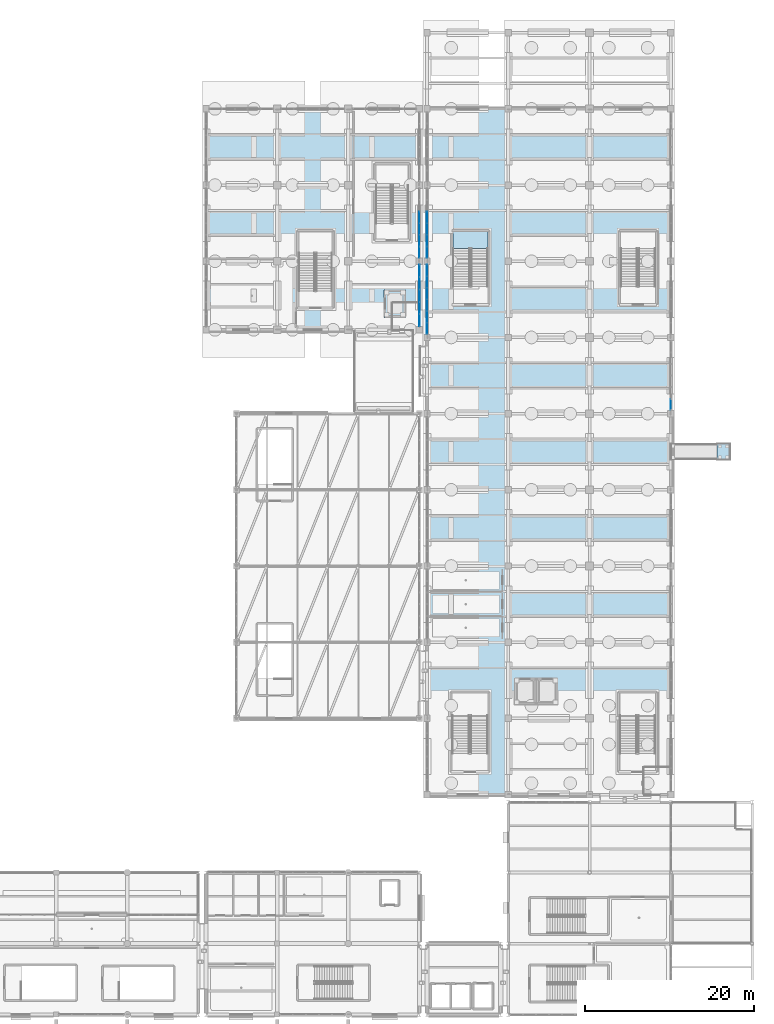
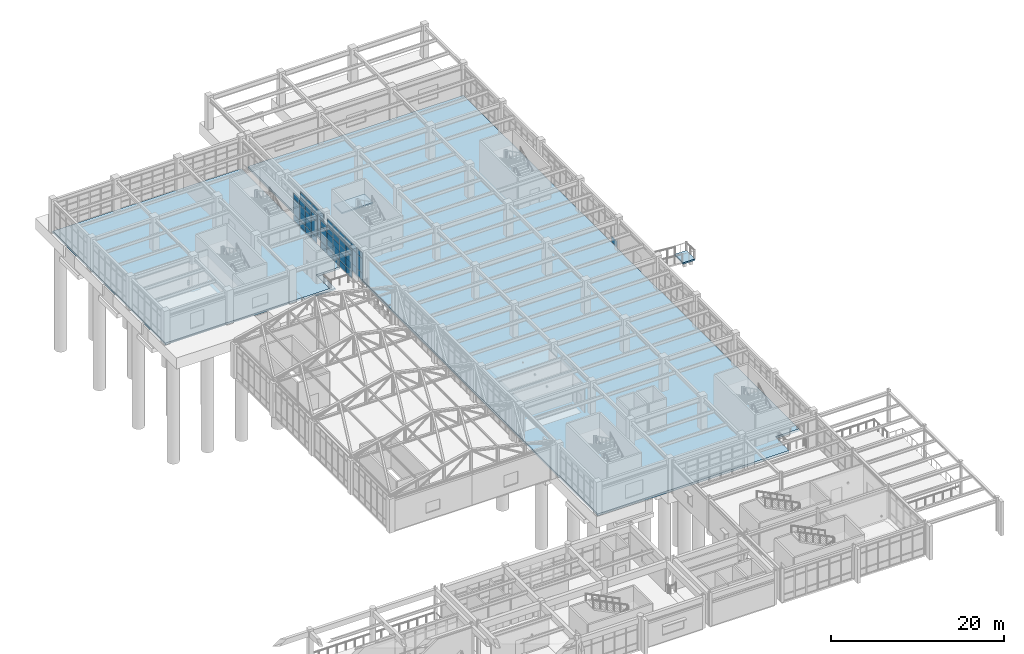
# One storey, part 102 of 139: 58 plates, 5 slabs, 6 elements without a shape of their own.
"""IFC4 building model written with IfcOpenShell, lengths in metres."""

from ifc_helpers import new_model, si_unit, direction, frame, origin, origin_2d, place, context, subcontext, project, spatial, polyline, rectangle, outline, extrude, material, layer, layer_set, type_object, element, aggregate, save


model = new_model("IFC4")

# Units and contexts
model_context = context("Model", 3, precision=1e-05, world=origin(), true_north=direction((0.0, 1.0)))
body_context = subcontext(model_context, "Body", "Model", "MODEL_VIEW")
ifc_project = project(units=[si_unit("LENGTHUNIT", "METRE"), si_unit("AREAUNIT", "SQUARE_METRE"), si_unit("VOLUMEUNIT", "CUBIC_METRE"), si_unit("PLANEANGLEUNIT", "RADIAN"), si_unit("MASSUNIT", "GRAM", prefix="KILO")], contexts=[model_context])

# Site, building, storey
site_placement = place(None, origin())
site = spatial("IfcSite", under=ifc_project, at=site_placement, CompositionType="ELEMENT")
building_placement = place(site_placement, origin())
building = spatial("IfcBuilding", under=site, at=building_placement, Name="Canglan Escarpment Cableway Terminal", CompositionType="ELEMENT")
storey_placement = place(building_placement, frame((0.0, 0.0, 14.39990234375)))
storey = spatial("IfcBuildingStorey", under=building, at=storey_placement, Name="L03", CompositionType="ELEMENT", Elevation=14.39990234375)

# Curtain wall, plates
ifc_material_1 = material(Name="Anodized bronze aluminium and Low-E double glazing", Category="aluminium")
curtain_wall_type_1 = type_object("IfcCurtainWallType", Name="CW-BAY-8250x4000", PredefinedType="NOTDEFINED", material=ifc_material_1)
curtain_wall_1_placement = place(storey_placement, origin())
curtain_wall_1 = element("IfcCurtainWall", 1, at=curtain_wall_1_placement, inside=storey, type_object=curtain_wall_type_1, Name="Classical bay-between-piers glazed curtain wall CW-48", PredefinedType="NOTDEFINED")
ifc_material_2 = material(Name="Double-silver Low-E laminated insulating glass", Category="glass")
ifc_layer_1 = layer(ifc_material_2, 0.02392578125, Name="Double-silver Low-E laminated insulating glass")
ifc_layer_set_1 = layer_set([ifc_layer_1], Name="Double-silver Low-E laminated insulating glass")
plate_type_1 = type_object("IfcPlateType", Name="CWP-01", PredefinedType="CURTAIN_PANEL", material=ifc_layer_set_1)
plate_1_placement = place(storey_placement, frame((136.699951171875, 98.077392578125, 0.05517578125), z_axis=(0.0, 0.0, 1.0), x_axis=(0.0, 1.0, 0.0)))
plate_1 = element("IfcPlate", 2, at=plate_1_placement, type_object=plate_type_1, Name="CW-48 panel 1.1", PredefinedType="CURTAIN_PANEL", context=body_context, shape_type="SweptSolid", body=[
    extrude(rectangle(XDim=1.284912109375, YDim=0.02392578125, at=origin_2d()), origin(), (0.0, 0.0, 1.0), 0.867431640625),
])
plate_2_placement = place(storey_placement, frame((136.699951171875, 98.077392578125, 0.9775390625), z_axis=(0.0, 0.0, 1.0), x_axis=(0.0, 1.0, 0.0)))
plate_2 = element("IfcPlate", 3, at=plate_2_placement, type_object=plate_type_1, Name="CW-48 panel 1.2", PredefinedType="CURTAIN_PANEL", context=body_context, shape_type="SweptSolid", body=[
    extrude(rectangle(XDim=1.284912109375, YDim=0.02392578125, at=origin_2d()), origin(), (0.0, 0.0, 1.0), 2.14208984375),
])
plate_3_placement = place(storey_placement, frame((136.699951171875, 98.077392578125, 3.174560546875), z_axis=(0.0, 0.0, 1.0), x_axis=(0.0, 1.0, 0.0)))
plate_3 = element("IfcPlate", 4, at=plate_3_placement, type_object=plate_type_1, Name="CW-48 panel 1.3", PredefinedType="CURTAIN_PANEL", context=body_context, shape_type="SweptSolid", body=[
    extrude(rectangle(XDim=1.284912109375, YDim=0.02392578125, at=origin_2d()), origin(), (0.0, 0.0, 1.0), 0.767578125),
])
plate_4_placement = place(storey_placement, frame((136.699951171875, 99.4375, 0.05517578125), z_axis=(0.0, 0.0, 1.0), x_axis=(0.0, 1.0, 0.0)))
plate_4 = element("IfcPlate", 5, at=plate_4_placement, type_object=plate_type_1, Name="CW-48 panel 2.1", PredefinedType="CURTAIN_PANEL", context=body_context, shape_type="SweptSolid", body=[
    extrude(rectangle(XDim=1.31494140625, YDim=0.02392578125, at=origin_2d()), origin(), (0.0, 0.0, 1.0), 0.867431640625),
])
plate_5_placement = place(storey_placement, frame((136.699951171875, 99.4375, 0.9775390625), z_axis=(0.0, 0.0, 1.0), x_axis=(0.0, 1.0, 0.0)))
plate_5 = element("IfcPlate", 6, at=plate_5_placement, type_object=plate_type_1, Name="CW-48 panel 2.2", PredefinedType="CURTAIN_PANEL", context=body_context, shape_type="SweptSolid", body=[
    extrude(rectangle(XDim=1.31494140625, YDim=0.02392578125, at=origin_2d()), origin(), (0.0, 0.0, 1.0), 2.14208984375),
])
plate_6_placement = place(storey_placement, frame((136.699951171875, 99.4375, 3.174560546875), z_axis=(0.0, 0.0, 1.0), x_axis=(0.0, 1.0, 0.0)))
plate_6 = element("IfcPlate", 7, at=plate_6_placement, type_object=plate_type_1, Name="CW-48 panel 2.3", PredefinedType="CURTAIN_PANEL", context=body_context, shape_type="SweptSolid", body=[
    extrude(rectangle(XDim=1.31494140625, YDim=0.02392578125, at=origin_2d()), origin(), (0.0, 0.0, 1.0), 0.767578125),
])
plate_7_placement = place(storey_placement, frame((136.699951171875, 100.8125, 0.05517578125), z_axis=(0.0, 0.0, 1.0), x_axis=(0.0, 1.0, 0.0)))
plate_7 = element("IfcPlate", 8, at=plate_7_placement, type_object=plate_type_1, Name="CW-48 panel 3.1", PredefinedType="CURTAIN_PANEL", context=body_context, shape_type="SweptSolid", body=[
    extrude(rectangle(XDim=1.31494140625, YDim=0.02392578125, at=origin_2d()), origin(), (0.0, 0.0, 1.0), 0.867431640625),
])
plate_8_placement = place(storey_placement, frame((136.699951171875, 100.8125, 0.9775390625), z_axis=(0.0, 0.0, 1.0), x_axis=(0.0, 1.0, 0.0)))
plate_8 = element("IfcPlate", 9, at=plate_8_placement, type_object=plate_type_1, Name="CW-48 panel 3.2", PredefinedType="CURTAIN_PANEL", context=body_context, shape_type="SweptSolid", body=[
    extrude(rectangle(XDim=1.31494140625, YDim=0.02392578125, at=origin_2d()), origin(), (0.0, 0.0, 1.0), 2.14208984375),
])
plate_9_placement = place(storey_placement, frame((136.699951171875, 100.8125, 3.174560546875), z_axis=(0.0, 0.0, 1.0), x_axis=(0.0, 1.0, 0.0)))
plate_9 = element("IfcPlate", 10, at=plate_9_placement, type_object=plate_type_1, Name="CW-48 panel 3.3", PredefinedType="CURTAIN_PANEL", context=body_context, shape_type="SweptSolid", body=[
    extrude(rectangle(XDim=1.31494140625, YDim=0.02392578125, at=origin_2d()), origin(), (0.0, 0.0, 1.0), 0.767578125),
])
plate_10_placement = place(storey_placement, frame((136.699951171875, 102.1875, 0.05517578125), z_axis=(0.0, 0.0, 1.0), x_axis=(0.0, 1.0, 0.0)))
plate_10 = element("IfcPlate", 11, at=plate_10_placement, type_object=plate_type_1, Name="CW-48 panel 4.1", PredefinedType="CURTAIN_PANEL", context=body_context, shape_type="SweptSolid", body=[
    extrude(rectangle(XDim=1.31494140625, YDim=0.02392578125, at=origin_2d()), origin(), (0.0, 0.0, 1.0), 0.867431640625),
])
plate_11_placement = place(storey_placement, frame((136.699951171875, 102.1875, 0.9775390625), z_axis=(0.0, 0.0, 1.0), x_axis=(0.0, 1.0, 0.0)))
plate_11 = element("IfcPlate", 12, at=plate_11_placement, type_object=plate_type_1, Name="CW-48 panel 4.2", PredefinedType="CURTAIN_PANEL", context=body_context, shape_type="SweptSolid", body=[
    extrude(rectangle(XDim=1.31494140625, YDim=0.02392578125, at=origin_2d()), origin(), (0.0, 0.0, 1.0), 2.14208984375),
])
plate_12_placement = place(storey_placement, frame((136.699951171875, 102.1875, 3.174560546875), z_axis=(0.0, 0.0, 1.0), x_axis=(0.0, 1.0, 0.0)))
plate_12 = element("IfcPlate", 13, at=plate_12_placement, type_object=plate_type_1, Name="CW-48 panel 4.3", PredefinedType="CURTAIN_PANEL", context=body_context, shape_type="SweptSolid", body=[
    extrude(rectangle(XDim=1.31494140625, YDim=0.02392578125, at=origin_2d()), origin(), (0.0, 0.0, 1.0), 0.767578125),
])
aggregate(curtain_wall_1, [plate_1, plate_2, plate_3, plate_4, plate_5, plate_6, plate_7, plate_8, plate_9, plate_10, plate_11, plate_12])

# Curtain wall, plate
curtain_wall_type_2 = type_object("IfcCurtainWallType", Name="CW-BAY-8250x3900", PredefinedType="NOTDEFINED", material=ifc_material_1)
curtain_wall_2_placement = place(storey_placement, origin())
curtain_wall_2 = element("IfcCurtainWall", 14, at=curtain_wall_2_placement, inside=storey, type_object=curtain_wall_type_2, Name="Classical bay-between-piers glazed curtain wall CW-62", PredefinedType="NOTDEFINED")
ifc_layer_2 = layer(ifc_material_2, 0.028076171875, Name="Double-silver Low-E laminated insulating glass")
ifc_layer_set_2 = layer_set([ifc_layer_2], Name="Double-silver Low-E laminated insulating glass")
plate_type_2 = type_object("IfcPlateType", Name="CWP-02", PredefinedType="CURTAIN_PANEL", material=ifc_layer_set_2)
plate_13_placement = place(storey_placement, frame((166.39990234375, 80.078857421875, 0.065185546875), z_axis=(0.0, 0.0, 1.0), x_axis=(0.0, 1.0, 0.0)))
plate_13 = element("IfcPlate", 15, at=plate_13_placement, type_object=plate_type_2, Name="CW-62 panel 1.1", PredefinedType="CURTAIN_PANEL", context=body_context, shape_type="SweptSolid", body=[
    extrude(rectangle(XDim=1.277587890625, YDim=0.028076171875, at=origin_2d()), origin(), (0.0, 0.0, 1.0), 0.8525390625),
])
aggregate(curtain_wall_2, [plate_13])

# Curtain wall, plates
curtain_wall_3_placement = place(storey_placement, origin())
curtain_wall_3 = element("IfcCurtainWall", 16, at=curtain_wall_3_placement, inside=storey, type_object=curtain_wall_type_2, Name="Classical bay-between-piers glazed curtain wall CW-62", PredefinedType="NOTDEFINED")
ifc_layer_3 = layer(ifc_material_2, 0.031982421875, Name="Double-silver Low-E laminated insulating glass")
ifc_layer_set_3 = layer_set([ifc_layer_3], Name="Double-silver Low-E laminated insulating glass")
plate_type_3 = type_object("IfcPlateType", Name="CWP-03", PredefinedType="CURTAIN_PANEL", material=ifc_layer_set_3)
plate_14_placement = place(storey_placement, frame((137.60009765625, 95.922607421875, 0.05517578125), z_axis=(0.0, 0.0, 1.0), x_axis=(0.0, -1.0, 0.0)))
plate_14 = element("IfcPlate", 17, at=plate_14_placement, type_object=plate_type_3, Name="CW-62 panel 1.1", PredefinedType="CURTAIN_PANEL", context=body_context, shape_type="SweptSolid", body=[
    extrude(rectangle(XDim=1.284912109375, YDim=0.031982421875, at=origin_2d()), origin(), (0.0, 0.0, 1.0), 0.867431640625),
])
plate_15_placement = place(storey_placement, frame((137.60009765625, 95.922607421875, 0.9775390625), z_axis=(0.0, 0.0, 1.0), x_axis=(0.0, -1.0, 0.0)))
plate_15 = element("IfcPlate", 18, at=plate_15_placement, type_object=plate_type_3, Name="CW-62 panel 1.2", PredefinedType="CURTAIN_PANEL", context=body_context, shape_type="SweptSolid", body=[
    extrude(rectangle(XDim=1.284912109375, YDim=0.031982421875, at=origin_2d()), origin(), (0.0, 0.0, 1.0), 2.035888671875),
])
plate_16_placement = place(storey_placement, frame((137.60009765625, 95.922607421875, 3.068603515625), z_axis=(0.0, 0.0, 1.0), x_axis=(0.0, -1.0, 0.0)))
plate_16 = element("IfcPlate", 19, at=plate_16_placement, type_object=plate_type_3, Name="CW-62 panel 1.3", PredefinedType="CURTAIN_PANEL", context=body_context, shape_type="SweptSolid", body=[
    extrude(rectangle(XDim=1.284912109375, YDim=0.031982421875, at=origin_2d()), origin(), (0.0, 0.0, 1.0), 0.767578125),
])
plate_17_placement = place(storey_placement, frame((137.60009765625, 94.5625, 0.05517578125), z_axis=(0.0, 0.0, 1.0), x_axis=(0.0, -1.0, 0.0)))
plate_17 = element("IfcPlate", 20, at=plate_17_placement, type_object=plate_type_3, Name="CW-62 panel 2.1", PredefinedType="CURTAIN_PANEL", context=body_context, shape_type="SweptSolid", body=[
    extrude(rectangle(XDim=1.31494140625, YDim=0.031982421875, at=origin_2d()), origin(), (0.0, 0.0, 1.0), 0.867431640625),
])
plate_18_placement = place(storey_placement, frame((137.60009765625, 94.5625, 0.9775390625), z_axis=(0.0, 0.0, 1.0), x_axis=(0.0, -1.0, 0.0)))
plate_18 = element("IfcPlate", 21, at=plate_18_placement, type_object=plate_type_3, Name="CW-62 panel 2.2", PredefinedType="CURTAIN_PANEL", context=body_context, shape_type="SweptSolid", body=[
    extrude(rectangle(XDim=1.31494140625, YDim=0.031982421875, at=origin_2d()), origin(), (0.0, 0.0, 1.0), 2.035888671875),
])
plate_19_placement = place(storey_placement, frame((137.60009765625, 94.5625, 3.068603515625), z_axis=(0.0, 0.0, 1.0), x_axis=(0.0, -1.0, 0.0)))
plate_19 = element("IfcPlate", 22, at=plate_19_placement, type_object=plate_type_3, Name="CW-62 panel 2.3", PredefinedType="CURTAIN_PANEL", context=body_context, shape_type="SweptSolid", body=[
    extrude(rectangle(XDim=1.31494140625, YDim=0.031982421875, at=origin_2d()), origin(), (0.0, 0.0, 1.0), 0.767578125),
])
plate_20_placement = place(storey_placement, frame((137.60009765625, 93.1875, 0.05517578125), z_axis=(0.0, 0.0, 1.0), x_axis=(0.0, -1.0, 0.0)))
plate_20 = element("IfcPlate", 23, at=plate_20_placement, type_object=plate_type_3, Name="CW-62 panel 3.1", PredefinedType="CURTAIN_PANEL", context=body_context, shape_type="SweptSolid", body=[
    extrude(rectangle(XDim=1.31494140625, YDim=0.031982421875, at=origin_2d()), origin(), (0.0, 0.0, 1.0), 0.867431640625),
])
plate_21_placement = place(storey_placement, frame((137.60009765625, 93.1875, 0.9775390625), z_axis=(0.0, 0.0, 1.0), x_axis=(0.0, -1.0, 0.0)))
plate_21 = element("IfcPlate", 24, at=plate_21_placement, type_object=plate_type_3, Name="CW-62 panel 3.2", PredefinedType="CURTAIN_PANEL", context=body_context, shape_type="SweptSolid", body=[
    extrude(rectangle(XDim=1.31494140625, YDim=0.031982421875, at=origin_2d()), origin(), (0.0, 0.0, 1.0), 2.035888671875),
])
plate_22_placement = place(storey_placement, frame((137.60009765625, 93.1875, 3.068603515625), z_axis=(0.0, 0.0, 1.0), x_axis=(0.0, -1.0, 0.0)))
plate_22 = element("IfcPlate", 25, at=plate_22_placement, type_object=plate_type_3, Name="CW-62 panel 3.3", PredefinedType="CURTAIN_PANEL", context=body_context, shape_type="SweptSolid", body=[
    extrude(rectangle(XDim=1.31494140625, YDim=0.031982421875, at=origin_2d()), origin(), (0.0, 0.0, 1.0), 0.767578125),
])
plate_23_placement = place(storey_placement, frame((137.60009765625, 91.8125, 0.05517578125), z_axis=(0.0, 0.0, 1.0), x_axis=(0.0, -1.0, 0.0)))
plate_23 = element("IfcPlate", 26, at=plate_23_placement, type_object=plate_type_3, Name="CW-62 panel 4.1", PredefinedType="CURTAIN_PANEL", context=body_context, shape_type="SweptSolid", body=[
    extrude(rectangle(XDim=1.31494140625, YDim=0.031982421875, at=origin_2d()), origin(), (0.0, 0.0, 1.0), 0.867431640625),
])
plate_24_placement = place(storey_placement, frame((137.60009765625, 91.8125, 0.9775390625), z_axis=(0.0, 0.0, 1.0), x_axis=(0.0, -1.0, 0.0)))
plate_24 = element("IfcPlate", 27, at=plate_24_placement, type_object=plate_type_3, Name="CW-62 panel 4.2", PredefinedType="CURTAIN_PANEL", context=body_context, shape_type="SweptSolid", body=[
    extrude(rectangle(XDim=1.31494140625, YDim=0.031982421875, at=origin_2d()), origin(), (0.0, 0.0, 1.0), 2.035888671875),
])
plate_25_placement = place(storey_placement, frame((137.60009765625, 91.8125, 3.068603515625), z_axis=(0.0, 0.0, 1.0), x_axis=(0.0, -1.0, 0.0)))
plate_25 = element("IfcPlate", 28, at=plate_25_placement, type_object=plate_type_3, Name="CW-62 panel 4.3", PredefinedType="CURTAIN_PANEL", context=body_context, shape_type="SweptSolid", body=[
    extrude(rectangle(XDim=1.31494140625, YDim=0.031982421875, at=origin_2d()), origin(), (0.0, 0.0, 1.0), 0.767578125),
])
plate_26_placement = place(storey_placement, frame((137.60009765625, 90.4375, 0.05517578125), z_axis=(0.0, 0.0, 1.0), x_axis=(0.0, -1.0, 0.0)))
plate_26 = element("IfcPlate", 29, at=plate_26_placement, type_object=plate_type_3, Name="CW-62 panel 5.1", PredefinedType="CURTAIN_PANEL", context=body_context, shape_type="SweptSolid", body=[
    extrude(rectangle(XDim=1.31494140625, YDim=0.031982421875, at=origin_2d()), origin(), (0.0, 0.0, 1.0), 0.867431640625),
])
plate_27_placement = place(storey_placement, frame((137.60009765625, 90.4375, 0.9775390625), z_axis=(0.0, 0.0, 1.0), x_axis=(0.0, -1.0, 0.0)))
plate_27 = element("IfcPlate", 30, at=plate_27_placement, type_object=plate_type_3, Name="CW-62 panel 5.2", PredefinedType="CURTAIN_PANEL", context=body_context, shape_type="SweptSolid", body=[
    extrude(rectangle(XDim=1.31494140625, YDim=0.031982421875, at=origin_2d()), origin(), (0.0, 0.0, 1.0), 2.035888671875),
])
plate_28_placement = place(storey_placement, frame((137.60009765625, 90.4375, 3.068603515625), z_axis=(0.0, 0.0, 1.0), x_axis=(0.0, -1.0, 0.0)))
plate_28 = element("IfcPlate", 31, at=plate_28_placement, type_object=plate_type_3, Name="CW-62 panel 5.3", PredefinedType="CURTAIN_PANEL", context=body_context, shape_type="SweptSolid", body=[
    extrude(rectangle(XDim=1.31494140625, YDim=0.031982421875, at=origin_2d()), origin(), (0.0, 0.0, 1.0), 0.767578125),
])
plate_29_placement = place(storey_placement, frame((137.60009765625, 89.077392578125, 0.05517578125), z_axis=(0.0, 0.0, 1.0), x_axis=(0.0, -1.0, 0.0)))
plate_29 = element("IfcPlate", 32, at=plate_29_placement, type_object=plate_type_3, Name="CW-62 panel 6.1", PredefinedType="CURTAIN_PANEL", context=body_context, shape_type="SweptSolid", body=[
    extrude(rectangle(XDim=1.284912109375, YDim=0.031982421875, at=origin_2d()), origin(), (0.0, 0.0, 1.0), 0.867431640625),
])
plate_30_placement = place(storey_placement, frame((137.60009765625, 89.077392578125, 0.9775390625), z_axis=(0.0, 0.0, 1.0), x_axis=(0.0, -1.0, 0.0)))
plate_30 = element("IfcPlate", 33, at=plate_30_placement, type_object=plate_type_3, Name="CW-62 panel 6.2", PredefinedType="CURTAIN_PANEL", context=body_context, shape_type="SweptSolid", body=[
    extrude(rectangle(XDim=1.284912109375, YDim=0.031982421875, at=origin_2d()), origin(), (0.0, 0.0, 1.0), 2.035888671875),
])
plate_31_placement = place(storey_placement, frame((137.60009765625, 89.077392578125, 3.068603515625), z_axis=(0.0, 0.0, 1.0), x_axis=(0.0, -1.0, 0.0)))
plate_31 = element("IfcPlate", 34, at=plate_31_placement, type_object=plate_type_3, Name="CW-62 panel 6.3", PredefinedType="CURTAIN_PANEL", context=body_context, shape_type="SweptSolid", body=[
    extrude(rectangle(XDim=1.284912109375, YDim=0.031982421875, at=origin_2d()), origin(), (0.0, 0.0, 1.0), 0.767578125),
])
aggregate(curtain_wall_3, [plate_14, plate_15, plate_16, plate_17, plate_18, plate_19, plate_20, plate_21, plate_22, plate_23, plate_24, plate_25, plate_26, plate_27, plate_28, plate_29, plate_30, plate_31])

curtain_wall_type_3 = type_object("IfcCurtainWallType", Name="CW-BAY-7350x4000", PredefinedType="NOTDEFINED", material=ifc_material_1)
curtain_wall_4_placement = place(storey_placement, origin())
curtain_wall_4 = element("IfcCurtainWall", 35, at=curtain_wall_4_placement, inside=storey, type_object=curtain_wall_type_3, Name="Classical bay-between-piers glazed curtain wall CW-47", PredefinedType="NOTDEFINED")
ifc_layer_4 = layer(ifc_material_2, 0.035888671875, Name="Double-silver Low-E laminated insulating glass")
ifc_layer_set_4 = layer_set([ifc_layer_4], Name="Double-silver Low-E laminated insulating glass")
plate_type_4 = type_object("IfcPlateType", Name="CWP-04", PredefinedType="CURTAIN_PANEL", material=ifc_layer_set_4)
plate_32_placement = place(storey_placement, frame((136.699951171875, 90.0263671875, 0.065185546875), z_axis=(0.0, 0.0, 1.0), x_axis=(0.0, 1.0, 0.0)))
plate_32 = element("IfcPlate", 36, at=plate_32_placement, type_object=plate_type_4, Name="CW-47 panel 1.1", PredefinedType="CURTAIN_PANEL", context=body_context, shape_type="SweptSolid", body=[
    extrude(rectangle(XDim=1.37255859375, YDim=0.035888671875, at=origin_2d()), origin(), (0.0, 0.0, 1.0), 0.8525390625),
])
plate_33_placement = place(storey_placement, frame((136.699951171875, 90.0263671875, 0.982421875), z_axis=(0.0, 0.0, 1.0), x_axis=(0.0, 1.0, 0.0)))
plate_33 = element("IfcPlate", 37, at=plate_33_placement, type_object=plate_type_4, Name="CW-47 panel 1.2", PredefinedType="CURTAIN_PANEL", context=body_context, shape_type="SweptSolid", body=[
    extrude(rectangle(XDim=1.37255859375, YDim=0.035888671875, at=origin_2d()), origin(), (0.0, 0.0, 1.0), 2.132080078125),
])
plate_34_placement = place(storey_placement, frame((136.699951171875, 90.0263671875, 3.1796875), z_axis=(0.0, 0.0, 1.0), x_axis=(0.0, 1.0, 0.0)))
plate_34 = element("IfcPlate", 38, at=plate_34_placement, type_object=plate_type_4, Name="CW-47 panel 1.3", PredefinedType="CURTAIN_PANEL", context=body_context, shape_type="SweptSolid", body=[
    extrude(rectangle(XDim=1.37255859375, YDim=0.035888671875, at=origin_2d()), origin(), (0.0, 0.0, 1.0), 0.75244140625),
])
plate_35_placement = place(storey_placement, frame((136.699951171875, 91.47998046875, 0.065185546875), z_axis=(0.0, 0.0, 1.0), x_axis=(0.0, 1.0, 0.0)))
plate_35 = element("IfcPlate", 39, at=plate_35_placement, type_object=plate_type_4, Name="CW-47 panel 2.1", PredefinedType="CURTAIN_PANEL", context=body_context, shape_type="SweptSolid", body=[
    extrude(rectangle(XDim=1.405029296875, YDim=0.035888671875, at=origin_2d()), origin(), (0.0, 0.0, 1.0), 0.8525390625),
])
plate_36_placement = place(storey_placement, frame((136.699951171875, 91.47998046875, 0.982421875), z_axis=(0.0, 0.0, 1.0), x_axis=(0.0, 1.0, 0.0)))
plate_36 = element("IfcPlate", 40, at=plate_36_placement, type_object=plate_type_4, Name="CW-47 panel 2.2", PredefinedType="CURTAIN_PANEL", context=body_context, shape_type="SweptSolid", body=[
    extrude(rectangle(XDim=1.405029296875, YDim=0.035888671875, at=origin_2d()), origin(), (0.0, 0.0, 1.0), 2.132080078125),
])
plate_37_placement = place(storey_placement, frame((136.699951171875, 91.47998046875, 3.1796875), z_axis=(0.0, 0.0, 1.0), x_axis=(0.0, 1.0, 0.0)))
plate_37 = element("IfcPlate", 41, at=plate_37_placement, type_object=plate_type_4, Name="CW-47 panel 2.3", PredefinedType="CURTAIN_PANEL", context=body_context, shape_type="SweptSolid", body=[
    extrude(rectangle(XDim=1.405029296875, YDim=0.035888671875, at=origin_2d()), origin(), (0.0, 0.0, 1.0), 0.75244140625),
])
plate_38_placement = place(storey_placement, frame((136.699951171875, 92.949951171875, 0.065185546875), z_axis=(0.0, 0.0, 1.0), x_axis=(0.0, 1.0, 0.0)))
plate_38 = element("IfcPlate", 42, at=plate_38_placement, type_object=plate_type_4, Name="CW-47 panel 3.1", PredefinedType="CURTAIN_PANEL", context=body_context, shape_type="SweptSolid", body=[
    extrude(rectangle(XDim=1.405029296875, YDim=0.035888671875, at=origin_2d()), origin(), (0.0, 0.0, 1.0), 0.8525390625),
])
plate_39_placement = place(storey_placement, frame((136.699951171875, 92.949951171875, 0.982421875), z_axis=(0.0, 0.0, 1.0), x_axis=(0.0, 1.0, 0.0)))
plate_39 = element("IfcPlate", 43, at=plate_39_placement, type_object=plate_type_4, Name="CW-47 panel 3.2", PredefinedType="CURTAIN_PANEL", context=body_context, shape_type="SweptSolid", body=[
    extrude(rectangle(XDim=1.405029296875, YDim=0.035888671875, at=origin_2d()), origin(), (0.0, 0.0, 1.0), 2.132080078125),
])
plate_40_placement = place(storey_placement, frame((136.699951171875, 92.949951171875, 3.1796875), z_axis=(0.0, 0.0, 1.0), x_axis=(0.0, 1.0, 0.0)))
plate_40 = element("IfcPlate", 44, at=plate_40_placement, type_object=plate_type_4, Name="CW-47 panel 3.3", PredefinedType="CURTAIN_PANEL", context=body_context, shape_type="SweptSolid", body=[
    extrude(rectangle(XDim=1.405029296875, YDim=0.035888671875, at=origin_2d()), origin(), (0.0, 0.0, 1.0), 0.75244140625),
])
plate_41_placement = place(storey_placement, frame((136.699951171875, 94.419921875, 0.065185546875), z_axis=(0.0, 0.0, 1.0), x_axis=(0.0, 1.0, 0.0)))
plate_41 = element("IfcPlate", 45, at=plate_41_placement, type_object=plate_type_4, Name="CW-47 panel 4.1", PredefinedType="CURTAIN_PANEL", context=body_context, shape_type="SweptSolid", body=[
    extrude(rectangle(XDim=1.405029296875, YDim=0.035888671875, at=origin_2d()), origin(), (0.0, 0.0, 1.0), 0.8525390625),
])
plate_42_placement = place(storey_placement, frame((136.699951171875, 94.419921875, 0.982421875), z_axis=(0.0, 0.0, 1.0), x_axis=(0.0, 1.0, 0.0)))
plate_42 = element("IfcPlate", 46, at=plate_42_placement, type_object=plate_type_4, Name="CW-47 panel 4.2", PredefinedType="CURTAIN_PANEL", context=body_context, shape_type="SweptSolid", body=[
    extrude(rectangle(XDim=1.405029296875, YDim=0.035888671875, at=origin_2d()), origin(), (0.0, 0.0, 1.0), 2.132080078125),
])
plate_43_placement = place(storey_placement, frame((136.699951171875, 94.419921875, 3.1796875), z_axis=(0.0, 0.0, 1.0), x_axis=(0.0, 1.0, 0.0)))
plate_43 = element("IfcPlate", 47, at=plate_43_placement, type_object=plate_type_4, Name="CW-47 panel 4.3", PredefinedType="CURTAIN_PANEL", context=body_context, shape_type="SweptSolid", body=[
    extrude(rectangle(XDim=1.405029296875, YDim=0.035888671875, at=origin_2d()), origin(), (0.0, 0.0, 1.0), 0.75244140625),
])
plate_44_placement = place(storey_placement, frame((136.699951171875, 95.873779296875, 0.065185546875), z_axis=(0.0, 0.0, 1.0), x_axis=(0.0, 1.0, 0.0)))
plate_44 = element("IfcPlate", 48, at=plate_44_placement, type_object=plate_type_4, Name="CW-47 panel 5.1", PredefinedType="CURTAIN_PANEL", context=body_context, shape_type="SweptSolid", body=[
    extrude(rectangle(XDim=1.37255859375, YDim=0.035888671875, at=origin_2d()), origin(), (0.0, 0.0, 1.0), 0.8525390625),
])
plate_45_placement = place(storey_placement, frame((136.699951171875, 95.873779296875, 0.982421875), z_axis=(0.0, 0.0, 1.0), x_axis=(0.0, 1.0, 0.0)))
plate_45 = element("IfcPlate", 49, at=plate_45_placement, type_object=plate_type_4, Name="CW-47 panel 5.2", PredefinedType="CURTAIN_PANEL", context=body_context, shape_type="SweptSolid", body=[
    extrude(rectangle(XDim=1.37255859375, YDim=0.035888671875, at=origin_2d()), origin(), (0.0, 0.0, 1.0), 2.132080078125),
])
plate_46_placement = place(storey_placement, frame((136.699951171875, 95.873779296875, 3.1796875), z_axis=(0.0, 0.0, 1.0), x_axis=(0.0, 1.0, 0.0)))
plate_46 = element("IfcPlate", 50, at=plate_46_placement, type_object=plate_type_4, Name="CW-47 panel 5.3", PredefinedType="CURTAIN_PANEL", context=body_context, shape_type="SweptSolid", body=[
    extrude(rectangle(XDim=1.37255859375, YDim=0.035888671875, at=origin_2d()), origin(), (0.0, 0.0, 1.0), 0.75244140625),
])
aggregate(curtain_wall_4, [plate_32, plate_33, plate_34, plate_35, plate_36, plate_37, plate_38, plate_39, plate_40, plate_41, plate_42, plate_43, plate_44, plate_45, plate_46])

curtain_wall_5_placement = place(storey_placement, origin())
curtain_wall_5 = element("IfcCurtainWall", 51, at=curtain_wall_5_placement, inside=storey, type_object=curtain_wall_type_2, Name="Classical bay-between-piers glazed curtain wall CW-62", PredefinedType="NOTDEFINED")
plate_47_placement = place(storey_placement, frame((137.60009765625, 102.1875, 0.06005859375), z_axis=(0.0, 0.0, 1.0), x_axis=(0.0, -1.0, 0.0)))
plate_47 = element("IfcPlate", 52, at=plate_47_placement, type_object=plate_type_4, Name="CW-62 panel 3.1", PredefinedType="CURTAIN_PANEL", context=body_context, shape_type="SweptSolid", body=[
    extrude(rectangle(XDim=1.31005859375, YDim=0.035888671875, at=origin_2d()), origin(), (0.0, 0.0, 1.0), 0.860107421875),
])
plate_48_placement = place(storey_placement, frame((137.60009765625, 102.1875, 0.97998046875), z_axis=(0.0, 0.0, 1.0), x_axis=(0.0, -1.0, 0.0)))
plate_48 = element("IfcPlate", 53, at=plate_48_placement, type_object=plate_type_4, Name="CW-62 panel 3.2", PredefinedType="CURTAIN_PANEL", context=body_context, shape_type="SweptSolid", body=[
    extrude(rectangle(XDim=1.31005859375, YDim=0.035888671875, at=origin_2d()), origin(), (0.0, 0.0, 1.0), 2.031005859375),
])
plate_49_placement = place(storey_placement, frame((137.60009765625, 102.1875, 3.0712890625), z_axis=(0.0, 0.0, 1.0), x_axis=(0.0, -1.0, 0.0)))
plate_49 = element("IfcPlate", 54, at=plate_49_placement, type_object=plate_type_4, Name="CW-62 panel 3.3", PredefinedType="CURTAIN_PANEL", context=body_context, shape_type="SweptSolid", body=[
    extrude(rectangle(XDim=1.31005859375, YDim=0.035888671875, at=origin_2d()), origin(), (0.0, 0.0, 1.0), 0.760009765625),
])
plate_50_placement = place(storey_placement, frame((137.60009765625, 100.8125, 0.06005859375), z_axis=(0.0, 0.0, 1.0), x_axis=(0.0, -1.0, 0.0)))
plate_50 = element("IfcPlate", 55, at=plate_50_placement, type_object=plate_type_4, Name="CW-62 panel 4.1", PredefinedType="CURTAIN_PANEL", context=body_context, shape_type="SweptSolid", body=[
    extrude(rectangle(XDim=1.31005859375, YDim=0.035888671875, at=origin_2d()), origin(), (0.0, 0.0, 1.0), 0.860107421875),
])
plate_51_placement = place(storey_placement, frame((137.60009765625, 100.8125, 0.97998046875), z_axis=(0.0, 0.0, 1.0), x_axis=(0.0, -1.0, 0.0)))
plate_51 = element("IfcPlate", 56, at=plate_51_placement, type_object=plate_type_4, Name="CW-62 panel 4.2", PredefinedType="CURTAIN_PANEL", context=body_context, shape_type="SweptSolid", body=[
    extrude(rectangle(XDim=1.31005859375, YDim=0.035888671875, at=origin_2d()), origin(), (0.0, 0.0, 1.0), 2.031005859375),
])
plate_52_placement = place(storey_placement, frame((137.60009765625, 100.8125, 3.0712890625), z_axis=(0.0, 0.0, 1.0), x_axis=(0.0, -1.0, 0.0)))
plate_52 = element("IfcPlate", 57, at=plate_52_placement, type_object=plate_type_4, Name="CW-62 panel 4.3", PredefinedType="CURTAIN_PANEL", context=body_context, shape_type="SweptSolid", body=[
    extrude(rectangle(XDim=1.31005859375, YDim=0.035888671875, at=origin_2d()), origin(), (0.0, 0.0, 1.0), 0.760009765625),
])
plate_53_placement = place(storey_placement, frame((137.60009765625, 99.4375, 0.06005859375), z_axis=(0.0, 0.0, 1.0), x_axis=(0.0, -1.0, 0.0)))
plate_53 = element("IfcPlate", 58, at=plate_53_placement, type_object=plate_type_4, Name="CW-62 panel 5.1", PredefinedType="CURTAIN_PANEL", context=body_context, shape_type="SweptSolid", body=[
    extrude(rectangle(XDim=1.31005859375, YDim=0.035888671875, at=origin_2d()), origin(), (0.0, 0.0, 1.0), 0.860107421875),
])
plate_54_placement = place(storey_placement, frame((137.60009765625, 99.4375, 0.97998046875), z_axis=(0.0, 0.0, 1.0), x_axis=(0.0, -1.0, 0.0)))
plate_54 = element("IfcPlate", 59, at=plate_54_placement, type_object=plate_type_4, Name="CW-62 panel 5.2", PredefinedType="CURTAIN_PANEL", context=body_context, shape_type="SweptSolid", body=[
    extrude(rectangle(XDim=1.31005859375, YDim=0.035888671875, at=origin_2d()), origin(), (0.0, 0.0, 1.0), 2.031005859375),
])
plate_55_placement = place(storey_placement, frame((137.60009765625, 99.4375, 3.0712890625), z_axis=(0.0, 0.0, 1.0), x_axis=(0.0, -1.0, 0.0)))
plate_55 = element("IfcPlate", 60, at=plate_55_placement, type_object=plate_type_4, Name="CW-62 panel 5.3", PredefinedType="CURTAIN_PANEL", context=body_context, shape_type="SweptSolid", body=[
    extrude(rectangle(XDim=1.31005859375, YDim=0.035888671875, at=origin_2d()), origin(), (0.0, 0.0, 1.0), 0.760009765625),
])
plate_56_placement = place(storey_placement, frame((137.60009765625, 98.078857421875, 0.06005859375), z_axis=(0.0, 0.0, 1.0), x_axis=(0.0, -1.0, 0.0)))
plate_56 = element("IfcPlate", 61, at=plate_56_placement, type_object=plate_type_4, Name="CW-62 panel 6.1", PredefinedType="CURTAIN_PANEL", context=body_context, shape_type="SweptSolid", body=[
    extrude(rectangle(XDim=1.277587890625, YDim=0.035888671875, at=origin_2d()), origin(), (0.0, 0.0, 1.0), 0.860107421875),
])
plate_57_placement = place(storey_placement, frame((137.60009765625, 98.078857421875, 0.97998046875), z_axis=(0.0, 0.0, 1.0), x_axis=(0.0, -1.0, 0.0)))
plate_57 = element("IfcPlate", 62, at=plate_57_placement, type_object=plate_type_4, Name="CW-62 panel 6.2", PredefinedType="CURTAIN_PANEL", context=body_context, shape_type="SweptSolid", body=[
    extrude(rectangle(XDim=1.277587890625, YDim=0.035888671875, at=origin_2d()), origin(), (0.0, 0.0, 1.0), 2.031005859375),
])
plate_58_placement = place(storey_placement, frame((137.60009765625, 98.078857421875, 3.0712890625), z_axis=(0.0, 0.0, 1.0), x_axis=(0.0, -1.0, 0.0)))
plate_58 = element("IfcPlate", 63, at=plate_58_placement, type_object=plate_type_4, Name="CW-62 panel 6.3", PredefinedType="CURTAIN_PANEL", context=body_context, shape_type="SweptSolid", body=[
    extrude(rectangle(XDim=1.277587890625, YDim=0.035888671875, at=origin_2d()), origin(), (0.0, 0.0, 1.0), 0.760009765625),
])
aggregate(curtain_wall_5, [plate_47, plate_48, plate_49, plate_50, plate_51, plate_52, plate_53, plate_54, plate_55, plate_56, plate_57, plate_58])

# Slabs
ifc_material_3 = material(Name="Concrete C40", Category="concrete")
ifc_layer_5 = layer(ifc_material_3, 0.280029296875, Name="Concrete C40")
ifc_layer_set_5 = layer_set([ifc_layer_5], Name="Concrete C40")
slab_type_1 = type_object("IfcSlabType", Name="SLB-BASE-280", PredefinedType="BASESLAB", material=ifc_layer_set_5)
slab_1_placement = place(storey_placement, frame((0.0, 0.0, -0.27978515625)))
element("IfcSlab", 64, at=slab_1_placement, inside=storey, type_object=slab_type_1, Name="Reinforced concrete base slab SB-01", PredefinedType="BASESLAB", context=body_context, shape_type="SweptSolid", body=[
    extrude(outline(polyline([(111.5, 88.89990234375), (133.5, 88.89990234375), (133.5, 92.10009765625), (136.699951171875, 92.10009765625), (136.699951171875, 115.0), (111.5, 115.0), (111.5, 88.89990234375)])), origin(), (0.0, 0.0, 1.0), 0.27978515625),
])
ifc_layer_6 = layer(ifc_material_3, 0.300048828125, Name="Concrete C40")
ifc_layer_set_6 = layer_set([ifc_layer_6], Name="Concrete C40")
slab_type_2 = type_object("IfcSlabType", Name="SLB-BASE-300", PredefinedType="BASESLAB", material=ifc_layer_set_6)
slab_2_placement = place(storey_placement, frame((0.0, 0.0, -0.2998046875)))
element("IfcSlab", 65, at=slab_2_placement, inside=storey, type_object=slab_type_2, Name="Reinforced concrete base slab SB-01", PredefinedType="BASESLAB", context=body_context, shape_type="SweptSolid", body=[
    extrude(outline(polyline([(137.60009765625, 34.0), (163.199951171875, 34.0), (163.199951171875, 37.199951171875), (166.39990234375, 37.199951171875), (166.39990234375, 115.0), (137.60009765625, 115.0), (137.60009765625, 34.0)])), origin(), (0.0, 0.0, 1.0), 0.2998046875),
])
ifc_layer_7 = layer(ifc_material_3, 0.239990234375, Name="Concrete C40")
ifc_layer_set_7 = layer_set([ifc_layer_7], Name="Concrete C40")
slab_type_3 = type_object("IfcSlabType", Name="SLB-PIT-240", PredefinedType="BASESLAB", material=ifc_layer_set_7)
slab_3_placement = place(storey_placement, frame((0.0, 0.0, -1.639892578125)))
element("IfcSlab", 66, at=slab_3_placement, inside=storey, type_object=slab_type_3, Name="Elevator shaft pit base slab LF-08", PredefinedType="BASESLAB", context=body_context, shape_type="SweptSolid", body=[
    extrude(outline(polyline([(132.52001953125, 90.3701171875), (135.080078125, 90.3701171875), (135.080078125, 93.6298828125), (132.52001953125, 93.6298828125), (132.52001953125, 90.3701171875)])), origin(), (0.0, 0.0, 1.0), 0.239990234375),
])
ifc_layer_8 = layer(ifc_material_3, 0.199951171875, Name="Concrete C40")
ifc_layer_set_8 = layer_set([ifc_layer_8], Name="Concrete C40")
slab_type_4 = type_object("IfcSlabType", Name="SLB-RMP-LAND-200", PredefinedType="LANDING", material=ifc_layer_set_8)
slab_4_placement = place(storey_placement, frame((0.0, 0.0, -0.64990234375)))
element("IfcSlab", 67, at=slab_4_placement, inside=storey, type_object=slab_type_4, Name="Accessible Belvedere Court Ramp 6 bottom landing", PredefinedType="LANDING", context=body_context, shape_type="SweptSolid", body=[
    extrude(outline(polyline([(171.830078125, 73.5), (173.429931640625, 73.5), (173.429931640625, 75.5), (171.830078125, 75.5), (171.830078125, 73.5)])), origin(), (0.0, 0.0, 1.0), 0.199951171875),
])

# Stair, slab
stair_type = type_object("IfcStairType", Name="STR-DOGLEG-2000", PredefinedType="HALF_TURN_STAIR", material=ifc_material_3)
stair_placement = place(storey_placement, origin())
stair = element("IfcStair", 68, at=stair_placement, inside=storey, type_object=stair_type, Name="L03 Protected Exit Stair ST-16", PredefinedType="HALF_TURN_STAIR")
ifc_layer_9 = layer(ifc_material_3, 0.199951171875, Name="Concrete C40")
ifc_layer_set_9 = layer_set([ifc_layer_9], Name="Concrete C40")
slab_type_5 = type_object("IfcSlabType", Name="SLB-STAIR-LAND-200", PredefinedType="LANDING", material=ifc_layer_set_9)
slab_5_placement = place(storey_placement, frame((0.0, 0.0, 2.2001953125)))
slab_5 = element("IfcSlab", 69, at=slab_5_placement, type_object=slab_type_5, Name="ST-16 landing 1", PredefinedType="LANDING", context=body_context, shape_type="SweptSolid", body=[
    extrude(outline(polyline([(144.800048828125, 98.5), (144.800048828125, 100.5), (140.64990234375, 100.5), (140.64990234375, 98.5), (144.800048828125, 98.5)])), origin(), (0.0, 0.0, 1.0), 0.199951171875),
])
aggregate(stair, [slab_5])

save(model, "model.ifc")
